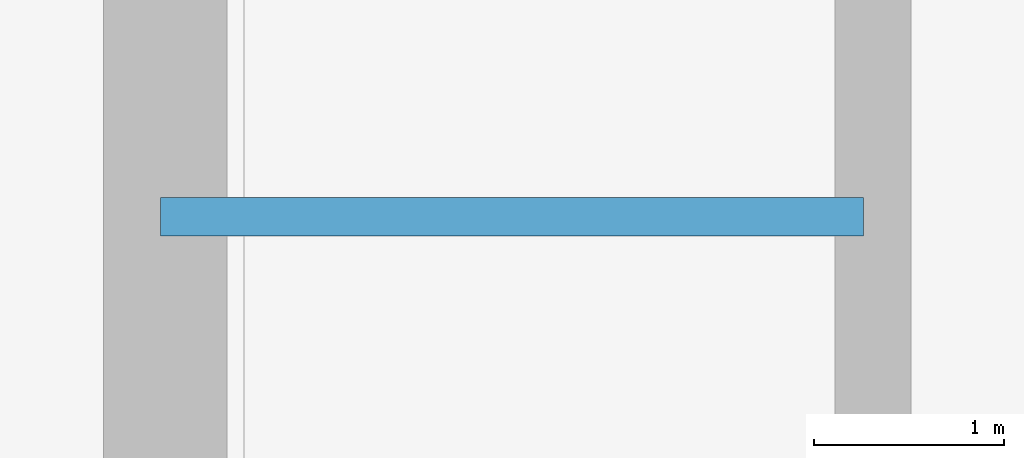
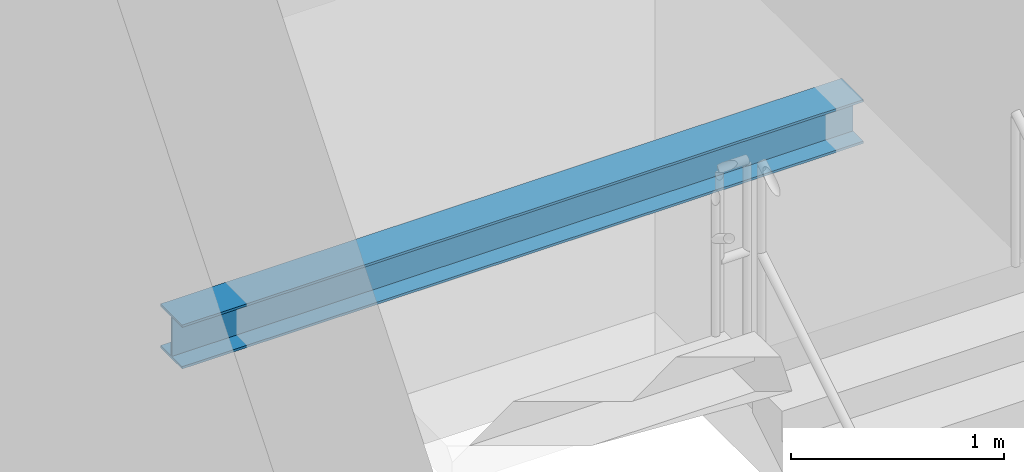
# One storey, part 13 of 36: 1 beam.
"""IFC4 building model written with IfcOpenShell, lengths in metres."""

from ifc_helpers import new_model, si_unit, direction, frame, origin, origin_2d, place, context, subcontext, project, spatial, i_section, extrude, material, material_profile, profile_set, type_object, element, save


model = new_model("IFC4")

# Units and contexts
model_context = context("Model", 3, precision=1e-05, world=origin(), true_north=direction((0.0, 1.0)))
body_context = subcontext(model_context, "Body", "Model", "MODEL_VIEW")
ifc_project = project(units=[si_unit("LENGTHUNIT", "METRE"), si_unit("AREAUNIT", "SQUARE_METRE"), si_unit("VOLUMEUNIT", "CUBIC_METRE"), si_unit("PLANEANGLEUNIT", "RADIAN"), si_unit("MASSUNIT", "GRAM", prefix="KILO")], contexts=[model_context])

# Site, building, storey
site_placement = place(None, origin())
site = spatial("IfcSite", under=ifc_project, at=site_placement, CompositionType="ELEMENT")
building_placement = place(site_placement, origin())
building = spatial("IfcBuilding", under=site, at=building_placement, Name="Veraguas Prism Commons", CompositionType="ELEMENT")
storey_placement = place(building_placement, frame((0.0, 0.0, 169.550048828125)))
storey = spatial("IfcBuildingStorey", under=building, at=storey_placement, Name="L48", CompositionType="ELEMENT", Elevation=169.550048828125)

# Beam
ifc_material = material(Name="Steel ASTM A992 Grade 50", Category="steel")
ifc_material_profile = material_profile(ifc_material, i_section(OverallWidth=0.202880859375, OverallDepth=0.251953125, WebThickness=0.008056640625, FlangeThickness=0.013427734375, at=origin_2d()), Name="W250X58")
ifc_profile_set = profile_set([ifc_material_profile], Name="Steel ASTM A992 Grade 50")
beam_type = type_object("IfcBeamType", Name="Structural Opening Lintel W250x58", PredefinedType="LINTEL", material=ifc_profile_set)
beam_placement = place(storey_placement, frame((17.25, 26.800048828125, 2.073974609375), z_axis=(1.0, 0.0, 0.0), x_axis=(0.0, 1.0, 0.0)))
element("IfcBeam", 1, at=beam_placement, inside=storey, type_object=beam_type, Name="Stair ST-01 Half-Landing Support Beam L48-1", PredefinedType="LINTEL", context=body_context, shape_type="SweptSolid", body=[
    extrude(i_section(OverallWidth=0.202880859375, OverallDepth=0.251953125, WebThickness=0.008056640625, FlangeThickness=0.013427734375, at=origin_2d()), origin(), (0.0, 0.0, 1.0), 3.699951171875),
])

save(model, "model.ifc")
